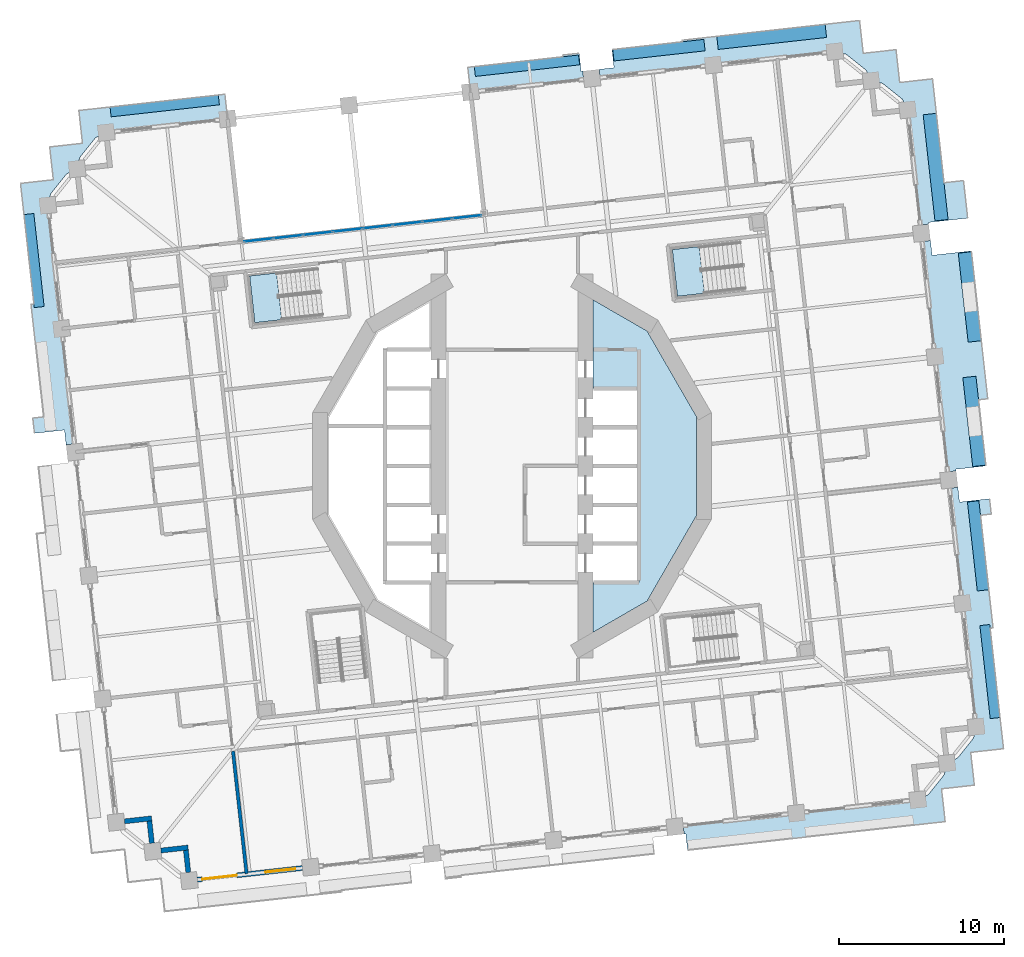
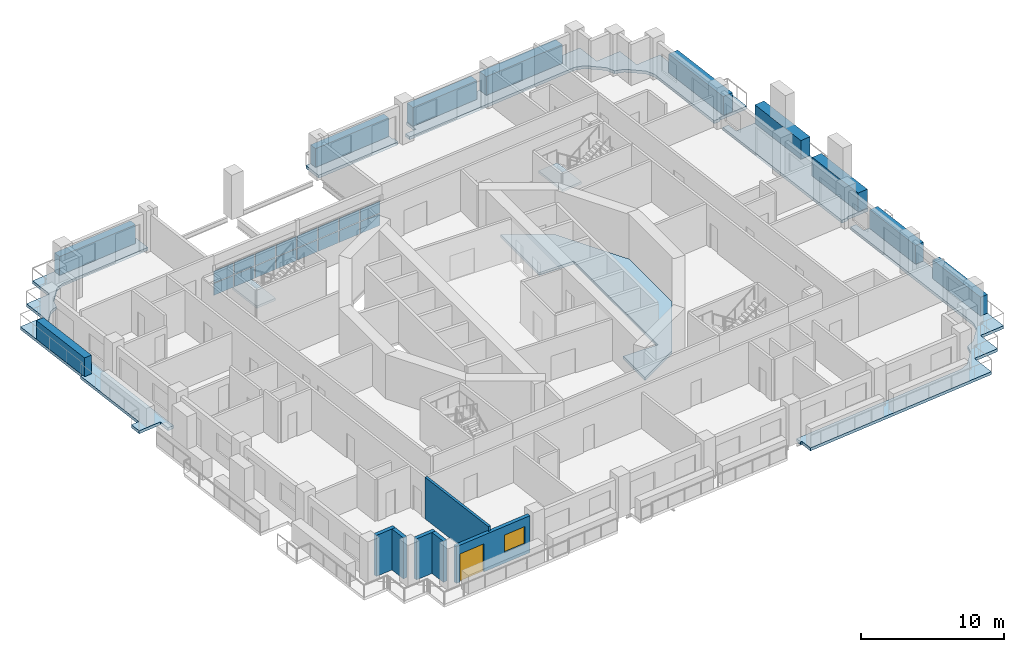
# One storey, part 6 of 21: 26 plates, 8 slabs, 6 walls, 1 door, 1 window, 2 openings, 3 elements without a shape of their own.
"""IFC4 building model written with IfcOpenShell, lengths in metres."""

from ifc_helpers import new_model, si_unit, direction, frame, frame_2d, origin, origin_2d, place, context, subcontext, project, spatial, polyline, rectangle, outline, extrude, material, layer, layer_set, type_object, element, fill, aggregate, save


model = new_model("IFC4")

# Units and contexts
model_context = context("Model", 3, precision=1e-05, world=origin(), true_north=direction((0.0, 1.0)))
body_context = subcontext(model_context, "Body", "Model", "MODEL_VIEW")
ifc_project = project(units=[si_unit("LENGTHUNIT", "METRE"), si_unit("AREAUNIT", "SQUARE_METRE"), si_unit("VOLUMEUNIT", "CUBIC_METRE"), si_unit("PLANEANGLEUNIT", "RADIAN"), si_unit("MASSUNIT", "GRAM", prefix="KILO")], contexts=[model_context])

# Site, building, storey
site_placement = place(None, origin())
site = spatial("IfcSite", under=ifc_project, at=site_placement, CompositionType="ELEMENT")
building_placement = place(site_placement, origin())
building = spatial("IfcBuilding", under=site, at=building_placement, Name="Cantera Rosa Tower", CompositionType="ELEMENT")
storey_placement = place(building_placement, frame((0.0, 0.0, 57.699951171875)))
storey = spatial("IfcBuildingStorey", under=building, at=storey_placement, Name="L11", CompositionType="ELEMENT", Elevation=57.699951171875)

# Slab
ifc_material_1 = material(Name="Concrete C35/45", Category="concrete")
ifc_layer_1 = layer(ifc_material_1, 0.25)
ifc_layer_set_1 = layer_set([ifc_layer_1], Name="COMPOSITE FLOOR SLAB 250 C35/45")
slab_type_1 = type_object("IfcSlabType", Name="COMPOSITE FLOOR SLAB 250 C35/45", PredefinedType="FLOOR", material=ifc_layer_set_1)
slab_1_placement = place(storey_placement, frame((0.0, 0.0, -0.25)))
element("IfcSlab", 1, at=slab_1_placement, inside=storey, type_object=slab_type_1, Name="SLAB L11 floor 3", PredefinedType="FLOOR", context=body_context, shape_type="SweptSolid", body=[
    extrude(outline(polyline([(7.699951171875, 0.0), (7.699951171875, 2.35009765625), (7.699951171875, 4.699951171875), (4.89990234375, 4.699951171875), (4.89990234375, 10.07373046875), (8.179931640625, 8.179931640625), (11.174072265625, 2.994140625), (11.174072265625, -2.994140625), (8.179931640625, -8.179931640625), (4.89990234375, -10.07373046875), (4.89990234375, -7.050048828125), (7.699951171875, -7.050048828125), (7.699951171875, -4.699951171875), (7.699951171875, -2.35009765625), (7.699951171875, 0.0)])), origin(), (0.0, 0.0, 1.0), 0.25),
])

# Curtain wall, plates
ifc_material_2 = material(Name="Aluminium frame with clear glass", Category="aluminium")
curtain_wall_type = type_object("IfcCurtainWallType", Name="CW1 TERRACE POCKET GLAZING", PredefinedType="NOTDEFINED", material=ifc_material_2)
curtain_wall_placement = place(storey_placement, origin())
curtain_wall = element("IfcCurtainWall", 2, at=curtain_wall_placement, inside=storey, type_object=curtain_wall_type, Name="CW1 CW1", PredefinedType="NOTDEFINED")
ifc_material_3 = material(Name="Aluminium frame with clear glass", Category="aluminium")
ifc_layer_2 = layer(ifc_material_3, 0.028076171875)
ifc_layer_set_2 = layer_set([ifc_layer_2], Name="CW-PANEL POCKET")
plate_type_1 = type_object("IfcPlateType", Name="CW-PANEL POCKET", PredefinedType="CURTAIN_PANEL", material=ifc_layer_set_2)
plate_1_placement = place(storey_placement, frame((-2.730712890625, 15.0908203125, 0.06005859375), z_axis=(0.0, 0.0, 1.0), x_axis=(-0.993896946413, -0.110312555543, 0.0)))
plate_1 = element("IfcPlate", 3, at=plate_1_placement, type_object=plate_type_1, Name="CW1 panel 1.1", PredefinedType="CURTAIN_PANEL", context=body_context, shape_type="SweptSolid", body=[
    extrude(rectangle(XDim=1.728759765625, YDim=0.028076171875, at=origin_2d()), origin(), (0.0, 0.0, 1.0), 1.0029296875),
])
plate_2_placement = place(storey_placement, frame((-2.730712890625, 15.0908203125, 1.123046875), z_axis=(0.0, 0.0, 1.0), x_axis=(-0.993896946413, -0.110312555543, 0.0)))
plate_2 = element("IfcPlate", 4, at=plate_2_placement, type_object=plate_type_1, Name="CW1 panel 1.2", PredefinedType="CURTAIN_PANEL", context=body_context, shape_type="SweptSolid", body=[
    extrude(rectangle(XDim=1.728759765625, YDim=0.028076171875, at=origin_2d()), origin(), (0.0, 0.0, 1.0), 1.0029296875),
])
plate_3_placement = place(storey_placement, frame((-4.5234375, 14.891845703125, 0.06005859375), z_axis=(0.0, 0.0, 1.0), x_axis=(-0.993896946413, -0.110312555543, 0.0)))
plate_3 = element("IfcPlate", 5, at=plate_3_placement, type_object=plate_type_1, Name="CW1 panel 2.1", PredefinedType="CURTAIN_PANEL", context=body_context, shape_type="SweptSolid", body=[
    extrude(rectangle(XDim=1.7587890625, YDim=0.028076171875, at=origin_2d()), origin(), (0.0, 0.0, 1.0), 1.0029296875),
])
plate_4_placement = place(storey_placement, frame((-4.5234375, 14.891845703125, 1.123046875), z_axis=(0.0, 0.0, 1.0), x_axis=(-0.993896946413, -0.110312555543, 0.0)))
plate_4 = element("IfcPlate", 6, at=plate_4_placement, type_object=plate_type_1, Name="CW1 panel 2.2", PredefinedType="CURTAIN_PANEL", context=body_context, shape_type="SweptSolid", body=[
    extrude(rectangle(XDim=1.7587890625, YDim=0.028076171875, at=origin_2d()), origin(), (0.0, 0.0, 1.0), 1.0029296875),
])
plate_5_placement = place(storey_placement, frame((-6.3310546875, 14.691162109375, 0.06005859375), z_axis=(0.0, 0.0, 1.0), x_axis=(-0.993896946413, -0.110312555543, 0.0)))
plate_5 = element("IfcPlate", 7, at=plate_5_placement, type_object=plate_type_1, Name="CW1 panel 3.1", PredefinedType="CURTAIN_PANEL", context=body_context, shape_type="SweptSolid", body=[
    extrude(rectangle(XDim=1.7587890625, YDim=0.028076171875, at=origin_2d()), origin(), (0.0, 0.0, 1.0), 1.0029296875),
])
plate_6_placement = place(storey_placement, frame((-6.3310546875, 14.691162109375, 1.123046875), z_axis=(0.0, 0.0, 1.0), x_axis=(-0.993896946413, -0.110312555543, 0.0)))
plate_6 = element("IfcPlate", 8, at=plate_6_placement, type_object=plate_type_1, Name="CW1 panel 3.2", PredefinedType="CURTAIN_PANEL", context=body_context, shape_type="SweptSolid", body=[
    extrude(rectangle(XDim=1.7587890625, YDim=0.028076171875, at=origin_2d()), origin(), (0.0, 0.0, 1.0), 1.0029296875),
])
plate_7_placement = place(storey_placement, frame((-8.138916015625, 14.49072265625, 0.06005859375), z_axis=(0.0, 0.0, 1.0), x_axis=(-0.993896946413, -0.110312555543, 0.0)))
plate_7 = element("IfcPlate", 9, at=plate_7_placement, type_object=plate_type_1, Name="CW1 panel 4.1", PredefinedType="CURTAIN_PANEL", context=body_context, shape_type="SweptSolid", body=[
    extrude(rectangle(XDim=1.7587890625, YDim=0.028076171875, at=origin_2d()), origin(), (0.0, 0.0, 1.0), 1.0029296875),
])
plate_8_placement = place(storey_placement, frame((-8.138916015625, 14.49072265625, 1.123046875), z_axis=(0.0, 0.0, 1.0), x_axis=(-0.993896946413, -0.110312555543, 0.0)))
plate_8 = element("IfcPlate", 10, at=plate_8_placement, type_object=plate_type_1, Name="CW1 panel 4.2", PredefinedType="CURTAIN_PANEL", context=body_context, shape_type="SweptSolid", body=[
    extrude(rectangle(XDim=1.7587890625, YDim=0.028076171875, at=origin_2d()), origin(), (0.0, 0.0, 1.0), 1.0029296875),
])
plate_9_placement = place(storey_placement, frame((-9.946533203125, 14.2900390625, 0.06005859375), z_axis=(0.0, 0.0, 1.0), x_axis=(-0.993896946413, -0.110312555543, 0.0)))
plate_9 = element("IfcPlate", 11, at=plate_9_placement, type_object=plate_type_1, Name="CW1 panel 5.1", PredefinedType="CURTAIN_PANEL", context=body_context, shape_type="SweptSolid", body=[
    extrude(rectangle(XDim=1.7587890625, YDim=0.028076171875, at=origin_2d()), origin(), (0.0, 0.0, 1.0), 1.0029296875),
])
plate_10_placement = place(storey_placement, frame((-9.946533203125, 14.2900390625, 1.123046875), z_axis=(0.0, 0.0, 1.0), x_axis=(-0.993896946413, -0.110312555543, 0.0)))
plate_10 = element("IfcPlate", 12, at=plate_10_placement, type_object=plate_type_1, Name="CW1 panel 5.2", PredefinedType="CURTAIN_PANEL", context=body_context, shape_type="SweptSolid", body=[
    extrude(rectangle(XDim=1.7587890625, YDim=0.028076171875, at=origin_2d()), origin(), (0.0, 0.0, 1.0), 1.0029296875),
])
plate_11_placement = place(storey_placement, frame((-11.754150390625, 14.08935546875, 0.06005859375), z_axis=(0.0, 0.0, 1.0), x_axis=(-0.993896946413, -0.110312555543, 0.0)))
plate_11 = element("IfcPlate", 13, at=plate_11_placement, type_object=plate_type_1, Name="CW1 panel 6.1", PredefinedType="CURTAIN_PANEL", context=body_context, shape_type="SweptSolid", body=[
    extrude(rectangle(XDim=1.7587890625, YDim=0.028076171875, at=origin_2d()), origin(), (0.0, 0.0, 1.0), 1.0029296875),
])
plate_12_placement = place(storey_placement, frame((-11.754150390625, 14.08935546875, 1.123046875), z_axis=(0.0, 0.0, 1.0), x_axis=(-0.993896946413, -0.110312555543, 0.0)))
plate_12 = element("IfcPlate", 14, at=plate_12_placement, type_object=plate_type_1, Name="CW1 panel 6.2", PredefinedType="CURTAIN_PANEL", context=body_context, shape_type="SweptSolid", body=[
    extrude(rectangle(XDim=1.7587890625, YDim=0.028076171875, at=origin_2d()), origin(), (0.0, 0.0, 1.0), 1.0029296875),
])
plate_13_placement = place(storey_placement, frame((-13.561767578125, 13.888671875, 0.06005859375), z_axis=(0.0, 0.0, 1.0), x_axis=(-0.993896946413, -0.110312555543, 0.0)))
plate_13 = element("IfcPlate", 15, at=plate_13_placement, type_object=plate_type_1, Name="CW1 panel 7.1", PredefinedType="CURTAIN_PANEL", context=body_context, shape_type="SweptSolid", body=[
    extrude(rectangle(XDim=1.7587890625, YDim=0.028076171875, at=origin_2d()), origin(), (0.0, 0.0, 1.0), 1.0029296875),
])
plate_14_placement = place(storey_placement, frame((-13.561767578125, 13.888671875, 1.123046875), z_axis=(0.0, 0.0, 1.0), x_axis=(-0.993896946413, -0.110312555543, 0.0)))
plate_14 = element("IfcPlate", 16, at=plate_14_placement, type_object=plate_type_1, Name="CW1 panel 7.2", PredefinedType="CURTAIN_PANEL", context=body_context, shape_type="SweptSolid", body=[
    extrude(rectangle(XDim=1.7587890625, YDim=0.028076171875, at=origin_2d()), origin(), (0.0, 0.0, 1.0), 1.0029296875),
])
plate_15_placement = place(storey_placement, frame((-15.3544921875, 13.689697265625, 0.06005859375), z_axis=(0.0, 0.0, 1.0), x_axis=(-0.993896946413, -0.110312555543, 0.0)))
plate_15 = element("IfcPlate", 17, at=plate_15_placement, type_object=plate_type_1, Name="CW1 panel 8.1", PredefinedType="CURTAIN_PANEL", context=body_context, shape_type="SweptSolid", body=[
    extrude(rectangle(XDim=1.728759765625, YDim=0.028076171875, at=origin_2d()), origin(), (0.0, 0.0, 1.0), 1.0029296875),
])
plate_16_placement = place(storey_placement, frame((-15.3544921875, 13.689697265625, 1.123046875), z_axis=(0.0, 0.0, 1.0), x_axis=(-0.993896946413, -0.110312555543, 0.0)))
plate_16 = element("IfcPlate", 18, at=plate_16_placement, type_object=plate_type_1, Name="CW1 panel 8.2", PredefinedType="CURTAIN_PANEL", context=body_context, shape_type="SweptSolid", body=[
    extrude(rectangle(XDim=1.728759765625, YDim=0.028076171875, at=origin_2d()), origin(), (0.0, 0.0, 1.0), 1.0029296875),
])
aggregate(curtain_wall, [plate_1, plate_2, plate_3, plate_4, plate_5, plate_6, plate_7, plate_8, plate_9, plate_10, plate_11, plate_12, plate_13, plate_14, plate_15, plate_16])

# Slabs
ifc_material_4 = material(Name="Concrete C35/45", Category="concrete")
ifc_layer_3 = layer(ifc_material_4, 0.25)
ifc_layer_set_3 = layer_set([ifc_layer_3], Name="LOGGIA SLAB 250 C35/45")
slab_type_2 = type_object("IfcSlabType", Name="LOGGIA SLAB 250 C35/45", PredefinedType="FLOOR", material=ifc_layer_set_3)
slab_2_placement = place(storey_placement, frame((0.0, 0.0, -0.25)))
element("IfcSlab", 19, at=slab_2_placement, inside=storey, type_object=slab_type_2, Name="LOGGIA SLAB L11 2", PredefinedType="FLOOR", context=body_context, shape_type="SweptSolid", body=[
    extrude(outline(polyline([(-29.134765625, 9.801513671875), (-28.960205078125, 9.821044921875), (-29.604736328125, 15.629638671875), (-29.770263671875, 17.12060546875), (-28.279296875, 17.285888671875), (-27.782470703125, 17.341064453125), (-27.837646484375, 17.837890625), (-28.003173828125, 19.328857421875), (-26.51220703125, 19.494384765625), (-26.015380859375, 19.549560546875), (-26.070556640625, 20.04638671875), (-26.236083984375, 21.537353515625), (-24.7451171875, 21.702880859375), (-18.881103515625, 22.353515625), (-17.390380859375, 22.51904296875), (-17.224853515625, 21.0283203125), (-24.57958984375, 20.2119140625), (-25.166015625, 19.922607421875), (-25.191162109375, 19.9072265625), (-25.214599609375, 19.889404296875), (-25.236083984375, 19.869384765625), (-25.255615234375, 19.84716796875), (-26.139404296875, 18.742919921875), (-26.156494140625, 18.71923828125), (-26.17138671875, 18.693603515625), (-26.18359375, 18.6669921875), (-26.193115234375, 18.63916015625), (-26.3466796875, 18.00341796875), (-26.933349609375, 17.714111328125), (-26.958251953125, 17.69873046875), (-26.981689453125, 17.680908203125), (-27.00341796875, 17.660888671875), (-27.022705078125, 17.638916015625), (-27.906494140625, 16.53466796875), (-27.923583984375, 16.5107421875), (-27.9384765625, 16.4853515625), (-27.95068359375, 16.45849609375), (-27.960205078125, 16.4306640625), (-28.114013671875, 15.795166015625), (-26.510009765625, 1.34375), (-27.007080078125, 1.288818359375), (-27.106201171875, 2.18310546875), (-28.926025390625, 1.981201171875), (-29.02880859375, 2.906494140625), (-28.37744140625, 2.978759765625), (-29.134765625, 9.801513671875)])), origin(), (0.0, 0.0, 1.0), 0.25),
])
slab_3_placement = place(storey_placement, frame((0.0, 0.0, -0.25)))
element("IfcSlab", 20, at=slab_3_placement, inside=storey, type_object=slab_type_2, Name="LOGGIA SLAB L11 4", PredefinedType="FLOOR", context=body_context, shape_type="SweptSolid", body=[
    extrude(outline(polyline([(3.080078125, 24.791015625), (3.068603515625, 24.894287109375), (4.06640625, 25.005126953125), (4.188232421875, 23.907958984375), (4.28759765625, 23.9189453125), (4.3427734375, 23.422119140625), (-2.51513671875, 22.660888671875), (-2.6806640625, 24.151611328125), (-1.189697265625, 24.317138671875), (3.080078125, 24.791015625)])), origin(), (0.0, 0.0, 1.0), 0.25),
])
slab_4_placement = place(storey_placement, frame((0.0, 0.0, -0.25)))
element("IfcSlab", 21, at=slab_4_placement, inside=storey, type_object=slab_type_2, Name="LOGGIA SLAB L11 6", PredefinedType="FLOOR", context=body_context, shape_type="SweptSolid", body=[
    extrude(outline(polyline([(19.36181640625, 26.79931640625), (21.051513671875, 26.98681640625), (21.239013671875, 25.29736328125), (21.272216796875, 24.999267578125), (21.5703125, 25.0322265625), (23.260009765625, 25.2197265625), (23.447509765625, 23.5302734375), (23.48046875, 23.23193359375), (23.77880859375, 23.26513671875), (25.46826171875, 23.45263671875), (25.65576171875, 21.762939453125), (26.1669921875, 17.15869140625), (27.34716796875, 17.289794921875), (27.599609375, 15.01611328125), (25.2265625, 14.752685546875), (25.237548828125, 14.653564453125), (24.740478515625, 14.598388671875), (23.96630859375, 21.575439453125), (23.677001953125, 22.161865234375), (23.66162109375, 22.18701171875), (23.643798828125, 22.21044921875), (23.62353515625, 22.23193359375), (23.6015625, 22.25146484375), (22.497314453125, 23.135009765625), (22.473388671875, 23.15234375), (22.447998046875, 23.1669921875), (22.42138671875, 23.179443359375), (22.393310546875, 23.18896484375), (21.7578125, 23.342529296875), (21.468505859375, 23.92919921875), (21.453125, 23.9541015625), (21.435302734375, 23.9775390625), (21.415283203125, 23.999267578125), (21.39306640625, 24.018798828125), (20.288818359375, 24.902099609375), (20.26513671875, 24.91943359375), (20.239501953125, 24.934326171875), (20.212890625, 24.946533203125), (20.18505859375, 24.9560546875), (19.54931640625, 25.10986328125), (18.642578125, 25.00927734375), (5.336669921875, 23.5322265625), (5.281494140625, 24.029296875), (6.176025390625, 24.12841796875), (6.05419921875, 25.2255859375), (10.327880859375, 25.699951171875), (10.3173828125, 25.795654296875), (19.36181640625, 26.79931640625)])), origin(), (0.0, 0.0, 1.0), 0.25),
])
slab_5_placement = place(storey_placement, frame((0.0, 0.0, -0.25)))
element("IfcSlab", 22, at=slab_5_placement, inside=storey, type_object=slab_type_2, Name="LOGGIA SLAB L11 7", PredefinedType="FLOOR", context=body_context, shape_type="SweptSolid", body=[
    extrude(outline(polyline([(29.134765625, -9.801513671875), (28.960205078125, -9.821044921875), (29.604736328125, -15.629638671875), (29.770263671875, -17.12060546875), (28.279296875, -17.285888671875), (27.782470703125, -17.341064453125), (27.837646484375, -17.837890625), (28.003173828125, -19.328857421875), (26.51220703125, -19.494384765625), (26.015380859375, -19.549560546875), (26.070556640625, -20.04638671875), (26.236083984375, -21.537353515625), (24.7451171875, -21.702880859375), (18.881103515625, -22.353515625), (15.8994140625, -22.6845703125), (11.5263671875, -23.169921875), (10.6318359375, -23.269287109375), (10.521484375, -22.275390625), (10.422119140625, -22.286376953125), (10.366943359375, -21.789306640625), (24.57958984375, -20.2119140625), (25.166015625, -19.922607421875), (25.191162109375, -19.9072265625), (25.214599609375, -19.889404296875), (25.236083984375, -19.869384765625), (25.255615234375, -19.84716796875), (26.139404296875, -18.742919921875), (26.156494140625, -18.71923828125), (26.17138671875, -18.693603515625), (26.18359375, -18.6669921875), (26.193115234375, -18.63916015625), (26.3466796875, -18.00341796875), (26.933349609375, -17.714111328125), (26.958251953125, -17.69873046875), (26.981689453125, -17.680908203125), (27.00341796875, -17.660888671875), (27.022705078125, -17.638916015625), (27.906494140625, -16.53466796875), (27.923583984375, -16.5107421875), (27.9384765625, -16.4853515625), (27.95068359375, -16.45849609375), (27.960205078125, -16.4306640625), (28.114013671875, -15.795166015625), (26.510009765625, -1.34375), (27.007080078125, -1.288818359375), (27.106201171875, -2.18310546875), (28.926025390625, -1.981201171875), (29.02880859375, -2.906494140625), (28.37744140625, -2.978759765625), (29.134765625, -9.801513671875)])), origin(), (0.0, 0.0, 1.0), 0.25),
])
slab_6_placement = place(storey_placement, frame((0.0, 0.0, -0.25)))
element("IfcSlab", 23, at=slab_6_placement, inside=storey, type_object=slab_type_2, Name="LOGGIA SLAB L11 8", PredefinedType="FLOOR", context=body_context, shape_type="SweptSolid", body=[
    extrude(outline(polyline([(28.705322265625, 0.006591796875), (26.885498046875, -0.1953125), (26.896728515625, -0.294921875), (26.399658203125, -0.349853515625), (24.850830078125, 13.6044921875), (25.347900390625, 13.65966796875), (25.447265625, 12.764892578125), (27.8203125, 13.0283203125), (28.813720703125, 4.07568359375), (28.260498046875, 4.014404296875), (28.705322265625, 0.006591796875)])), origin(), (0.0, 0.0, 1.0), 0.25),
])

# Plates
ifc_material_5 = material(Name="Cantera stone planter with soil", Category="masonry")
plate_type_2 = type_object("IfcPlateType", Name="PLANTER 600", PredefinedType="USERDEFINED", material=ifc_material_5)
plate_17_placement = place(storey_placement, frame((28.94970703125, -12.447509765625, 0.0), z_axis=(0.0, 0.0, 1.0), x_axis=(-0.110312555526, 0.993896946415, 0.0)))
element("IfcPlate", 24, at=plate_17_placement, inside=storey, type_object=plate_type_2, Name="PLANTER L11-01", ObjectType="PLANTER", PredefinedType="USERDEFINED", context=body_context, shape_type="SweptSolid", body=[
    extrude(rectangle(XDim=5.669921875, YDim=0.60009765625, at=origin_2d()), origin(), (0.0, 0.0, 1.0), 1.60009765625),
])
plate_18_placement = place(storey_placement, frame((0.90576171875, 24.247802734375, 0.0), z_axis=(0.0, 0.0, 1.0), x_axis=(-0.993896946415, -0.110312555526, 0.0)))
element("IfcPlate", 25, at=plate_18_placement, inside=storey, type_object=plate_type_2, Name="PLANTER L11-08", ObjectType="PLANTER", PredefinedType="USERDEFINED", context=body_context, shape_type="SweptSolid", body=[
    extrude(rectangle(XDim=6.35009765625, YDim=0.60009765625, at=origin_2d()), origin(), (0.0, 0.0, 1.0), 1.60009765625),
])
plate_19_placement = place(storey_placement, frame((-21.03466796875, 21.812744140625, 0.0), z_axis=(0.0, 0.0, 1.0), x_axis=(-0.993896946415, -0.110312555526, 0.0)))
element("IfcPlate", 26, at=plate_19_placement, inside=storey, type_object=plate_type_2, Name="PLANTER L11-11", ObjectType="PLANTER", PredefinedType="USERDEFINED", context=body_context, shape_type="SweptSolid", body=[
    extrude(rectangle(XDim=6.60009765625, YDim=0.60009765625, at=origin_2d()), origin(), (0.0, 0.0, 1.0), 1.60009765625),
])
plate_20_placement = place(storey_placement, frame((-28.94970703125, 12.447509765625, 0.0), z_axis=(0.0, 0.0, 1.0), x_axis=(0.110312555526, -0.993896946415, 0.0)))
element("IfcPlate", 27, at=plate_20_placement, inside=storey, type_object=plate_type_2, Name="PLANTER L11-12", ObjectType="PLANTER", PredefinedType="USERDEFINED", context=body_context, shape_type="SweptSolid", body=[
    extrude(rectangle(XDim=5.669921875, YDim=0.60009765625, at=origin_2d()), origin(), (0.0, 0.0, 1.0), 1.60009765625),
])
ifc_material_6 = material(Name="Cantera stone planter with soil", Category="masonry")
plate_type_3 = type_object("IfcPlateType", Name="PLANTER 700", PredefinedType="USERDEFINED", material=ifc_material_6)
plate_21_placement = place(storey_placement, frame((28.2314453125, -4.835205078125, 0.0), z_axis=(0.0, 0.0, 1.0), x_axis=(-0.110312555526, 0.993896946415, 0.0)))
element("IfcPlate", 28, at=plate_21_placement, inside=storey, type_object=plate_type_3, Name="PLANTER L11-02", ObjectType="PLANTER", PredefinedType="USERDEFINED", context=body_context, shape_type="SweptSolid", body=[
    extrude(rectangle(XDim=5.419921875, YDim=0.699951171875, at=origin_2d()), origin(), (0.0, 0.0, 1.0), 1.60009765625),
])
plate_22_placement = place(storey_placement, frame((8.900634765625, 25.189453125, 0.0), z_axis=(0.0, 0.0, 1.0), x_axis=(-0.993896946415, -0.110312555526, 0.0)))
element("IfcPlate", 29, at=plate_22_placement, inside=storey, type_object=plate_type_3, Name="PLANTER L11-07", ObjectType="PLANTER", PredefinedType="USERDEFINED", context=body_context, shape_type="SweptSolid", body=[
    extrude(rectangle(XDim=5.550048828125, YDim=0.699951171875, at=origin_2d()), origin(), (0.0, 0.0, 1.0), 1.60009765625),
])
ifc_material_7 = material(Name="Cantera stone planter with soil", Category="masonry")
plate_type_4 = type_object("IfcPlateType", Name="PLANTER 800", PredefinedType="USERDEFINED", material=ifc_material_7)
for number, where, z_axis, x_axis, name in (
    (30, (28.00341796875, 2.70556640625, 0.0), (0.0, 0.0, 1.0), (-0.110312555526, 0.993896946415, 0.0), "PLANTER L11-03"),
    (31, (27.72705078125, 10.2412109375, 0.0), (0.0, 0.0, 1.0), (-0.110312555526, 0.993896946415, 0.0), "PLANTER L11-04"),
):
    element("IfcPlate", number, at=place(storey_placement, frame(where, z_axis=z_axis, x_axis=x_axis)), inside=storey, type_object=plate_type_4, Name=name, ObjectType="PLANTER", PredefinedType="USERDEFINED", context=body_context, shape_type="SweptSolid", body=[
        extrude(rectangle(XDim=5.419921875, YDim=0.800048828125, at=origin_2d()), origin(), (0.0, 0.0, 1.0), 1.60009765625),
    ])
plate_23_placement = place(storey_placement, frame((25.6591796875, 18.10595703125, 0.0), z_axis=(0.0, 0.0, 1.0), x_axis=(-0.110312555526, 0.993896946415, 0.0)))
element("IfcPlate", 32, at=plate_23_placement, inside=storey, type_object=plate_type_4, Name="PLANTER L11-05", ObjectType="PLANTER", PredefinedType="USERDEFINED", context=body_context, shape_type="SweptSolid", body=[
    extrude(rectangle(XDim=6.469970703125, YDim=0.800048828125, at=origin_2d()), origin(), (0.0, 0.0, 1.0), 1.60009765625),
])
plate_24_placement = place(storey_placement, frame((15.728515625, 25.99365234375, 0.0), z_axis=(0.0, 0.0, 1.0), x_axis=(-0.993896946415, -0.110312555526, 0.0)))
element("IfcPlate", 33, at=plate_24_placement, inside=storey, type_object=plate_type_4, Name="PLANTER L11-06", ObjectType="PLANTER", PredefinedType="USERDEFINED", context=body_context, shape_type="SweptSolid", body=[
    extrude(rectangle(XDim=6.60009765625, YDim=0.800048828125, at=origin_2d()), origin(), (0.0, 0.0, 1.0), 1.60009765625),
])

# Stair, slab
ifc_material_8 = material(Name="Concrete C35/45", Category="concrete")
stair_type = type_object("IfcStairType", Name="EXIT STAIR 1350 DOGLEG", PredefinedType="HALF_TURN_STAIR", material=ifc_material_8)
stair_1_placement = place(storey_placement, origin())
stair_1 = element("IfcStair", 34, at=stair_1_placement, inside=storey, type_object=stair_type, Name="L11 ST-11", PredefinedType="HALF_TURN_STAIR")
ifc_material_9 = material(Name="Concrete C35/45", Category="concrete")
ifc_layer_4 = layer(ifc_material_9, 0.199951171875)
ifc_layer_set_4 = layer_set([ifc_layer_4], Name="STAIR LANDING 200")
slab_type_3 = type_object("IfcSlabType", Name="STAIR LANDING 200", PredefinedType="LANDING", material=ifc_layer_set_4)
slab_7_placement = place(storey_placement, frame((0.0, 0.0, 1.699951171875)))
slab_7 = element("IfcSlab", 35, at=slab_7_placement, type_object=slab_type_3, Name="ST-11 landing 1", PredefinedType="LANDING", context=body_context, shape_type="SweptSolid", body=[
    extrude(outline(polyline([(11.341552734375, 13.294189453125), (9.70947265625, 13.113037109375), (10.02392578125, 10.2802734375), (11.656005859375, 10.46142578125), (11.341552734375, 13.294189453125)])), origin(), (0.0, 0.0, 1.0), 0.2001953125),
])
aggregate(stair_1, [slab_7])

stair_2_placement = place(storey_placement, origin())
stair_2 = element("IfcStair", 36, at=stair_2_placement, inside=storey, type_object=stair_type, Name="L11 ST-12", PredefinedType="HALF_TURN_STAIR")
slab_8_placement = place(storey_placement, frame((0.0, 0.0, 1.699951171875)))
slab_8 = element("IfcSlab", 37, at=slab_8_placement, type_object=slab_type_3, Name="ST-12 landing 1", PredefinedType="LANDING", context=body_context, shape_type="SweptSolid", body=[
    extrude(outline(polyline([(-14.258544921875, 11.694091796875), (-15.890380859375, 11.512939453125), (-15.575927734375, 8.680419921875), (-13.944091796875, 8.861572265625), (-14.258544921875, 11.694091796875)])), origin(), (0.0, 0.0, 1.0), 0.2001953125),
])
aggregate(stair_2, [slab_8])

# Walls
ifc_material_10 = material(Name="Hollow clay masonry with cantera stone cladding", Category="masonry")
ifc_layer_5 = layer(ifc_material_10, 0.300048828125)
ifc_layer_set_5 = layer_set([ifc_layer_5], Name="EW-LOGGIA 300")
wall_type_1 = type_object("IfcWallType", Name="EW-LOGGIA 300", PredefinedType="SOLIDWALL", material=ifc_layer_set_5)
wall_1_placement = place(storey_placement, frame((-23.46923828125, -21.520263671875, 0.0), z_axis=(0.0, 0.0, 1.0), x_axis=(0.993905369514, 0.110236638423, 0.0)))
element("IfcWall", 38, at=wall_1_placement, inside=storey, type_object=wall_type_1, Name="EN-L11-W21a", PredefinedType="SOLIDWALL", context=body_context, shape_type="SweptSolid", body=[
    extrude(rectangle(XDim=1.64990234375, YDim=0.300048828125, at=frame_2d((0.824951171875, 0.0))), origin(), (0.0, 0.0, 1.0), 3.5),
])
wall_2_placement = place(storey_placement, frame((-21.9619140625, -21.50390625, 0.0), z_axis=(0.0, 0.0, 1.0), x_axis=(0.110312435488, -0.993896959738, 0.0)))
element("IfcWall", 39, at=wall_2_placement, inside=storey, type_object=wall_type_1, Name="EN-L11-W21b", PredefinedType="SOLIDWALL", context=body_context, shape_type="SweptSolid", body=[
    extrude(rectangle(XDim=1.35009765625, YDim=0.300048828125, at=frame_2d((0.675048828125, 0.0))), origin(), (0.0, 0.0, 1.0), 3.5),
])
wall_3_placement = place(storey_placement, frame((-21.2607421875, -23.287353515625, 0.0), z_axis=(0.0, 0.0, 1.0), x_axis=(0.993905369514, 0.110236638423, 0.0)))
element("IfcWall", 40, at=wall_3_placement, inside=storey, type_object=wall_type_1, Name="EN-L11-W22a", PredefinedType="SOLIDWALL", context=body_context, shape_type="SweptSolid", body=[
    extrude(rectangle(XDim=1.64990234375, YDim=0.300048828125, at=frame_2d((0.824951171875, 0.0))), origin(), (0.0, 0.0, 1.0), 3.5),
])
wall_4_placement = place(storey_placement, frame((-19.75341796875, -23.27099609375, 0.0), z_axis=(0.0, 0.0, 1.0), x_axis=(0.110312435488, -0.993896959738, 0.0)))
element("IfcWall", 41, at=wall_4_placement, inside=storey, type_object=wall_type_1, Name="EN-L11-W22b", PredefinedType="SOLIDWALL", context=body_context, shape_type="SweptSolid", body=[
    extrude(rectangle(XDim=1.35009765625, YDim=0.300048828125, at=frame_2d((0.675048828125, 0.0))), origin(), (0.0, 0.0, 1.0), 3.5),
])

# Wall, openings, window, door
ifc_material_11 = material(Name="Hollow clay masonry with cantera stone cladding", Category="masonry")
ifc_layer_6 = layer(ifc_material_11, 0.300048828125)
ifc_layer_set_6 = layer_set([ifc_layer_6], Name="EW-LOGGIA 300 H3140")
wall_type_2 = type_object("IfcWallType", Name="EW-LOGGIA 300 H3140", PredefinedType="SOLIDWALL", material=ifc_layer_set_6)
wall_5_placement = place(storey_placement, frame((-19.052490234375, -25.0546875, 0.0), z_axis=(0.0, 0.0, 1.0), x_axis=(0.993896288542, 0.110318482689, 0.0)))
wall_5 = element("IfcWall", 42, at=wall_5_placement, inside=storey, type_object=wall_type_2, Name="EN-L11-W23", PredefinedType="SOLIDWALL", context=body_context, shape_type="SweptSolid", body=[
    extrude(rectangle(XDim=6.400146484375, YDim=0.300048828125, at=frame_2d((3.2001953125, 0.0))), origin(), (0.0, 0.0, 1.0), 3.14013671875),
])
opening_1_placement = place(wall_5_placement, frame((0.300048828125, 0.0, 0.0)))
opening_1 = element("IfcOpeningElement", 43, at=opening_1_placement, cuts=wall_5, Name="Opening L11-TD29", PredefinedType="OPENING", context=body_context, shape_type="SweptSolid", body=[
    extrude(rectangle(XDim=2.10009765625, YDim=2.39990234375, at=frame_2d((1.050048828125, 1.199951171875))), frame((0.0, 0.159912109375, 0.0), z_axis=(0.0, -1.0, 0.0), x_axis=(1.0, 0.0, 0.0)), (0.0, 0.0, 1.0), 0.320068359375),
])
opening_2_placement = place(wall_5_placement, frame((4.14990234375, 0.0, 0.89990234375)))
opening_2 = element("IfcOpeningElement", 44, at=opening_2_placement, cuts=wall_5, Name="Opening L11-W30", PredefinedType="OPENING", context=body_context, shape_type="SweptSolid", body=[
    extrude(rectangle(XDim=1.800048828125, YDim=1.5, at=frame_2d((0.89990234375, 0.75))), frame((0.0, 0.159912109375, 0.0), z_axis=(0.0, -1.0, 0.0), x_axis=(1.0, 0.0, 0.0)), (0.0, 0.0, 1.0), 0.320068359375),
])
ifc_material_12 = material(Name="Aluminium frame with clear glass", Category="aluminium")
window_type = type_object("IfcWindowType", Name="Hotel room window 1800x1500", PartitioningType="DOUBLE_PANEL_VERTICAL", PredefinedType="WINDOW", material=ifc_material_12)
window_placement = place(opening_2_placement, origin())
window = element("IfcWindow", 45, at=window_placement, inside=storey, type_object=window_type, Name="WINDOW L11-W30", OverallHeight=1.5, OverallWidth=1.800048828125, PartitioningType="SINGLE_PANEL", PredefinedType="WINDOW", context=body_context, shape_type="SweptSolid", body=[
    extrude(rectangle(XDim=1.800048828125, YDim=1.5, at=frame_2d((0.89990234375, 0.75))), frame((0.0, 0.030029296875, 0.0), z_axis=(0.0, -1.0, 0.0), x_axis=(1.0, 0.0, 0.0)), (0.0, 0.0, 1.0), 0.06005859375),
])
fill(opening_2, window)
ifc_material_13 = material(Name="Aluminium frame with clear glass", Category="aluminium")
door_type = type_object("IfcDoorType", Name="TD-H 2100x2400", OperationType="NOTDEFINED", PredefinedType="DOOR", material=ifc_material_13)
door_placement = place(opening_1_placement, origin())
door = element("IfcDoor", 46, at=door_placement, inside=storey, type_object=door_type, Name="LOGGIA DOOR L11-TD29", OperationType="SLIDING_TO_LEFT", OverallHeight=2.39990234375, OverallWidth=2.10009765625, PredefinedType="DOOR", context=body_context, shape_type="SweptSolid", body=[
    extrude(rectangle(XDim=2.10009765625, YDim=2.39990234375, at=frame_2d((1.050048828125, 1.199951171875))), frame((0.0, 0.02490234375, 0.0), z_axis=(0.0, -1.0, 0.0), x_axis=(1.0, 0.0, 0.0)), (0.0, 0.0, 1.0), 0.050048828125),
])
fill(opening_1, door)

# Wall
ifc_material_14 = material(Name="Gypsum board partition")
ifc_layer_7 = layer(ifc_material_14, 0.199951171875)
ifc_layer_set_7 = layer_set([ifc_layer_7], Name="PARTY WALL 200 H3550")
wall_type_3 = type_object("IfcWallType", Name="PARTY WALL 200 H3550", PredefinedType="PARTITIONING", material=ifc_layer_set_7)
wall_6_placement = place(storey_placement, frame((-16.07421875, -24.69384765625, 0.0), z_axis=(0.0, 0.0, 1.0), x_axis=(-0.110305973679, 0.993897676912, 0.0)))
element("IfcWall", 47, at=wall_6_placement, inside=storey, type_object=wall_type_3, Name="PARTY WALL L11-023", PredefinedType="PARTITIONING", context=body_context, shape_type="SweptSolid", body=[
    extrude(rectangle(XDim=7.469970703125, YDim=0.199951171875, at=frame_2d((3.73486328125, 0.0))), origin(), (0.0, 0.0, 1.0), 3.550048828125),
])

save(model, "model.ifc")
